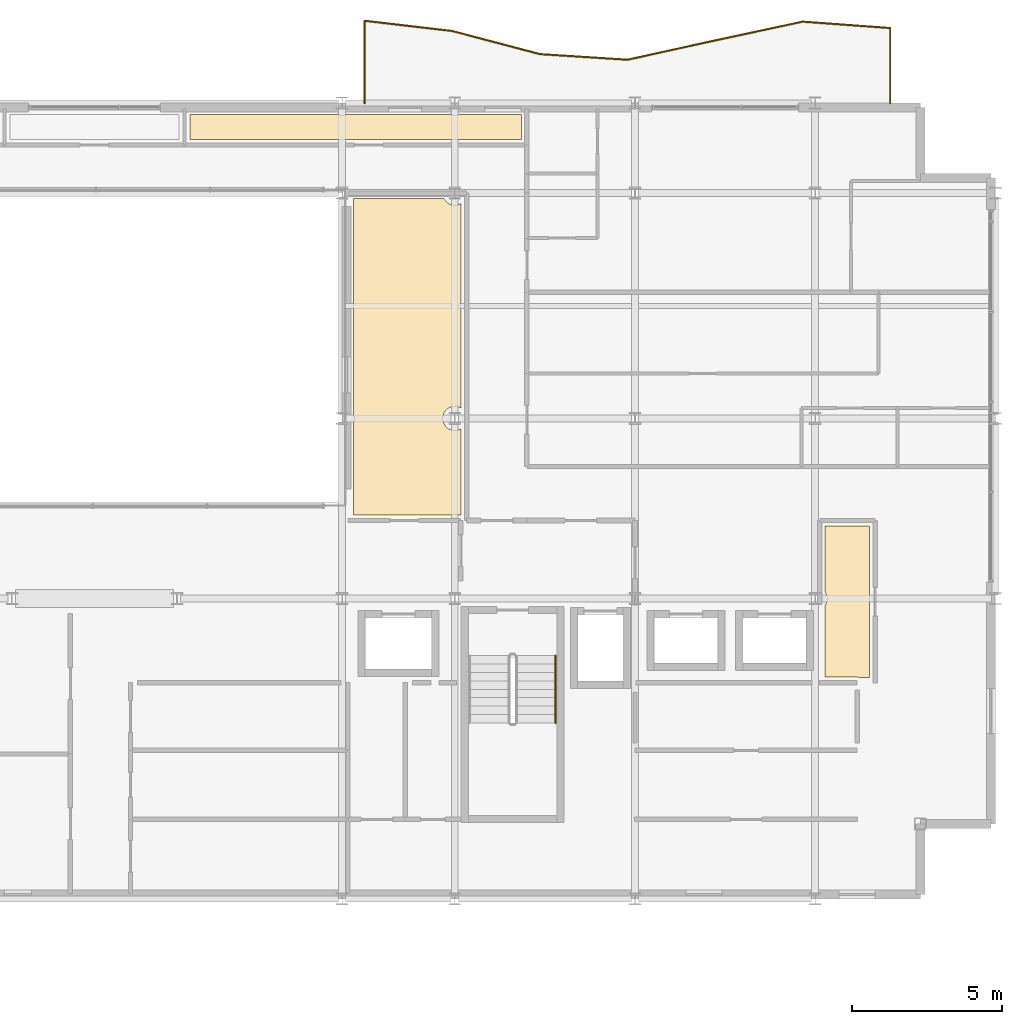
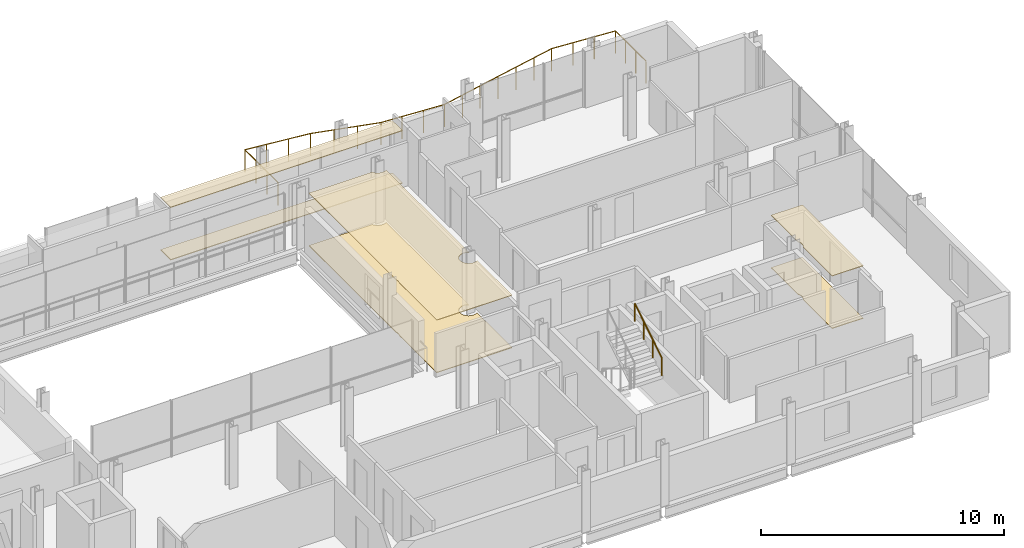
# One storey, part 36 of 36: 6 coverings, 2 railings.
"""IFC4 building model written with IfcOpenShell, lengths in metres."""

from ifc_helpers import new_model, si_unit, direction, frame, origin, origin_2d, place, context, subcontext, project, spatial, polyline, circle, outline, extrude, material, layer, layer_set, type_object, element, save


model = new_model("IFC4")

# Units and contexts
model_context = context("Model", 3, precision=1e-05, world=origin(), true_north=direction((0.0, 1.0)))
body_context = subcontext(model_context, "Body", "Model", "MODEL_VIEW")
ifc_project = project(units=[si_unit("LENGTHUNIT", "METRE"), si_unit("AREAUNIT", "SQUARE_METRE"), si_unit("VOLUMEUNIT", "CUBIC_METRE"), si_unit("PLANEANGLEUNIT", "RADIAN"), si_unit("MASSUNIT", "GRAM", prefix="KILO")], contexts=[model_context])

# Site, building, storey
site_placement = place(None, origin())
site = spatial("IfcSite", under=ifc_project, at=site_placement, CompositionType="ELEMENT")
building_placement = place(site_placement, origin())
building = spatial("IfcBuilding", under=site, at=building_placement, Name="Brevholm Reach", CompositionType="ELEMENT")
storey_placement = place(building_placement, frame((0.0, 0.0, 175.89990234375)))
storey = spatial("IfcBuildingStorey", under=building, at=storey_placement, Name="L53", CompositionType="ELEMENT", Elevation=175.89990234375)

# Coverings
ifc_material_1 = material(Name="Moisture-Resistant Skimmed Gypsum Plasterboard Ceiling", Category="gypsum")
ifc_layer_1 = layer(ifc_material_1, 0.030029296875)
ifc_layer_set_1 = layer_set([ifc_layer_1], Name="Moisture-Resistant Skimmed Gypsum Plasterboard Ceiling")
covering_type_1 = type_object("IfcCoveringType", Name="COV-CLG-GYP", PredefinedType="CEILING", material=ifc_layer_set_1)
covering_1_placement = place(storey_placement, frame((0.0, 0.0, 2.64013671875)))
element("IfcCovering", 1, at=covering_1_placement, inside=storey, type_object=covering_type_1, Name="L53 Suspended Ceiling L53-25", PredefinedType="CEILING", context=body_context, shape_type="SweptSolid", body=[
    extrude(outline(polyline([(54.330078125, 9.7626953125), (54.33056640625, 9.764892578125), (54.33251953125, 9.777587890625), (54.33251953125, 9.77783203125), (54.352783203125, 9.811279296875), (54.36962890625, 9.846923828125), (54.3828125, 9.8837890625), (54.392333984375, 9.922119140625), (54.398193359375, 9.960693359375), (54.39990234375, 10.0), (54.398193359375, 10.039306640625), (54.392333984375, 10.077880859375), (54.3828125, 10.1162109375), (54.36962890625, 10.153076171875), (54.352783203125, 10.188720703125), (54.333984375, 10.219970703125), (54.333984375, 12.419921875), (55.81591796875, 12.419921875), (55.81591796875, 7.3798828125), (55.437255859375, 7.3798828125), (55.43505859375, 7.380615234375), (55.41748046875, 7.383056640625), (55.39990234375, 7.384033203125), (54.330078125, 7.384033203125), (54.330078125, 9.7626953125)])), origin(), (0.0, 0.0, 1.0), 0.030029296875),
])
covering_2_placement = place(storey_placement, frame((0.0, 0.0, 2.64013671875)))
element("IfcCovering", 2, at=covering_2_placement, inside=storey, type_object=covering_type_1, Name="L53 Suspended Ceiling L53-53", PredefinedType="CEILING", context=body_context, shape_type="SweptSolid", body=[
    extrude(outline(polyline([(38.6298828125, 15.876220703125), (38.6328125, 15.8837890625), (38.642333984375, 15.922119140625), (38.648193359375, 15.960693359375), (38.64990234375, 16.0), (38.648193359375, 16.039306640625), (38.642333984375, 16.077880859375), (38.6328125, 16.1162109375), (38.6298828125, 16.123779296875), (38.6298828125, 23.320068359375), (41.643310546875, 23.320068359375), (41.647216796875, 23.311279296875), (41.66748046875, 23.27783203125), (41.69091796875, 23.24609375), (41.71728515625, 23.21728515625), (41.74609375, 23.19091796875), (41.77783203125, 23.16748046875), (41.811279296875, 23.147216796875), (41.846923828125, 23.13037109375), (41.8837890625, 23.1171875), (41.922119140625, 23.107666015625), (41.960693359375, 23.101806640625), (42.0, 23.10009765625), (42.039306640625, 23.101806640625), (42.077880859375, 23.107666015625), (42.1162109375, 23.1171875), (42.153076171875, 23.13037109375), (42.188720703125, 23.147216796875), (42.216064453125, 23.163818359375), (42.216064453125, 16.336181640625), (42.188720703125, 16.352783203125), (42.153076171875, 16.36962890625), (42.1162109375, 16.3828125), (42.077880859375, 16.392333984375), (42.039306640625, 16.398193359375), (42.0, 16.39990234375), (41.960693359375, 16.398193359375), (41.922119140625, 16.392333984375), (41.8837890625, 16.3828125), (41.846923828125, 16.36962890625), (41.811279296875, 16.352783203125), (41.77783203125, 16.33251953125), (41.74609375, 16.30908203125), (41.71728515625, 16.28271484375), (41.69091796875, 16.25390625), (41.66748046875, 16.22216796875), (41.647216796875, 16.188720703125), (41.63037109375, 16.153076171875), (41.6171875, 16.1162109375), (41.607666015625, 16.077880859375), (41.601806640625, 16.039306640625), (41.60009765625, 16.0), (41.601806640625, 15.960693359375), (41.607666015625, 15.922119140625), (41.6171875, 15.8837890625), (41.63037109375, 15.846923828125), (41.647216796875, 15.811279296875), (41.66748046875, 15.77783203125), (41.69091796875, 15.74609375), (41.71728515625, 15.71728515625), (41.74609375, 15.69091796875), (41.77783203125, 15.66748046875), (41.811279296875, 15.647216796875), (41.846923828125, 15.63037109375), (41.8837890625, 15.6171875), (41.922119140625, 15.607666015625), (41.960693359375, 15.601806640625), (42.0, 15.60009765625), (42.039306640625, 15.601806640625), (42.077880859375, 15.607666015625), (42.1162109375, 15.6171875), (42.153076171875, 15.63037109375), (42.188720703125, 15.647216796875), (42.216064453125, 15.663818359375), (42.216064453125, 12.783935546875), (38.6298828125, 12.783935546875), (38.6298828125, 15.876220703125)])), origin(), (0.0, 0.0, 1.0), 0.030029296875),
])
covering_3_placement = place(storey_placement, frame((0.0, 0.0, 2.64013671875)))
element("IfcCovering", 3, at=covering_3_placement, inside=storey, type_object=covering_type_1, Name="L53 Suspended Ceiling L53-57", PredefinedType="CEILING", context=body_context, shape_type="SweptSolid", body=[
    extrude(outline(polyline([(38.126220703125, 26.1201171875), (38.1337890625, 26.1171875), (38.172119140625, 26.107666015625), (38.210693359375, 26.101806640625), (38.25, 26.10009765625), (38.289306640625, 26.101806640625), (38.327880859375, 26.107666015625), (38.3662109375, 26.1171875), (38.373779296875, 26.1201171875), (41.876220703125, 26.1201171875), (41.8837890625, 26.1171875), (41.922119140625, 26.107666015625), (41.960693359375, 26.101806640625), (42.0, 26.10009765625), (42.039306640625, 26.101806640625), (42.077880859375, 26.107666015625), (42.1162109375, 26.1171875), (42.123779296875, 26.1201171875), (44.216064453125, 26.1201171875), (44.216064453125, 25.283935546875), (33.18408203125, 25.283935546875), (33.18408203125, 26.1201171875), (38.126220703125, 26.1201171875)])), origin(), (0.0, 0.0, 1.0), 0.030029296875),
])
ifc_material_2 = material(Name="Honed Portland-Aggregate Resin Terrazzo Flooring", Category="concrete")
ifc_layer_2 = layer(ifc_material_2, 0.031982421875)
ifc_layer_set_2 = layer_set([ifc_layer_2], Name="Honed Portland-Aggregate Resin Terrazzo Flooring")
covering_type_2 = type_object("IfcCoveringType", Name="COV-FLR-TRZ", PredefinedType="FLOORING", material=ifc_layer_set_2)
covering_4_placement = place(storey_placement, origin())
element("IfcCovering", 4, at=covering_4_placement, inside=storey, type_object=covering_type_2, Name="L53 Floor Finish L53-25", PredefinedType="FLOORING", context=body_context, shape_type="SweptSolid", body=[
    extrude(outline(polyline([(54.330078125, 9.7626953125), (54.33056640625, 9.764892578125), (54.33251953125, 9.777587890625), (54.33251953125, 9.77783203125), (54.352783203125, 9.811279296875), (54.36962890625, 9.846923828125), (54.3828125, 9.8837890625), (54.392333984375, 9.922119140625), (54.398193359375, 9.960693359375), (54.39990234375, 10.0), (54.398193359375, 10.039306640625), (54.392333984375, 10.077880859375), (54.3828125, 10.1162109375), (54.36962890625, 10.153076171875), (54.352783203125, 10.188720703125), (54.333984375, 10.219970703125), (54.333984375, 12.419921875), (55.81591796875, 12.419921875), (55.81591796875, 7.3798828125), (55.437255859375, 7.3798828125), (55.43505859375, 7.380615234375), (55.41748046875, 7.383056640625), (55.39990234375, 7.384033203125), (54.330078125, 7.384033203125), (54.330078125, 9.7626953125)])), origin(), (0.0, 0.0, 1.0), 0.031982421875),
])
covering_5_placement = place(storey_placement, origin())
element("IfcCovering", 5, at=covering_5_placement, inside=storey, type_object=covering_type_2, Name="L53 Floor Finish L53-53", PredefinedType="FLOORING", context=body_context, shape_type="SweptSolid", body=[
    extrude(outline(polyline([(38.6298828125, 15.876220703125), (38.6328125, 15.8837890625), (38.642333984375, 15.922119140625), (38.648193359375, 15.960693359375), (38.64990234375, 16.0), (38.648193359375, 16.039306640625), (38.642333984375, 16.077880859375), (38.6328125, 16.1162109375), (38.6298828125, 16.123779296875), (38.6298828125, 23.320068359375), (41.643310546875, 23.320068359375), (41.647216796875, 23.311279296875), (41.66748046875, 23.27783203125), (41.69091796875, 23.24609375), (41.71728515625, 23.21728515625), (41.74609375, 23.19091796875), (41.77783203125, 23.16748046875), (41.811279296875, 23.147216796875), (41.846923828125, 23.13037109375), (41.8837890625, 23.1171875), (41.922119140625, 23.107666015625), (41.960693359375, 23.101806640625), (42.0, 23.10009765625), (42.039306640625, 23.101806640625), (42.077880859375, 23.107666015625), (42.1162109375, 23.1171875), (42.153076171875, 23.13037109375), (42.188720703125, 23.147216796875), (42.216064453125, 23.163818359375), (42.216064453125, 16.336181640625), (42.188720703125, 16.352783203125), (42.153076171875, 16.36962890625), (42.1162109375, 16.3828125), (42.077880859375, 16.392333984375), (42.039306640625, 16.398193359375), (42.0, 16.39990234375), (41.960693359375, 16.398193359375), (41.922119140625, 16.392333984375), (41.8837890625, 16.3828125), (41.846923828125, 16.36962890625), (41.811279296875, 16.352783203125), (41.77783203125, 16.33251953125), (41.74609375, 16.30908203125), (41.71728515625, 16.28271484375), (41.69091796875, 16.25390625), (41.66748046875, 16.22216796875), (41.647216796875, 16.188720703125), (41.63037109375, 16.153076171875), (41.6171875, 16.1162109375), (41.607666015625, 16.077880859375), (41.601806640625, 16.039306640625), (41.60009765625, 16.0), (41.601806640625, 15.960693359375), (41.607666015625, 15.922119140625), (41.6171875, 15.8837890625), (41.63037109375, 15.846923828125), (41.647216796875, 15.811279296875), (41.66748046875, 15.77783203125), (41.69091796875, 15.74609375), (41.71728515625, 15.71728515625), (41.74609375, 15.69091796875), (41.77783203125, 15.66748046875), (41.811279296875, 15.647216796875), (41.846923828125, 15.63037109375), (41.8837890625, 15.6171875), (41.922119140625, 15.607666015625), (41.960693359375, 15.601806640625), (42.0, 15.60009765625), (42.039306640625, 15.601806640625), (42.077880859375, 15.607666015625), (42.1162109375, 15.6171875), (42.153076171875, 15.63037109375), (42.188720703125, 15.647216796875), (42.216064453125, 15.663818359375), (42.216064453125, 12.783935546875), (38.6298828125, 12.783935546875), (38.6298828125, 15.876220703125)])), origin(), (0.0, 0.0, 1.0), 0.031982421875),
])
covering_6_placement = place(storey_placement, origin())
element("IfcCovering", 6, at=covering_6_placement, inside=storey, type_object=covering_type_2, Name="L53 Floor Finish L53-57", PredefinedType="FLOORING", context=body_context, shape_type="SweptSolid", body=[
    extrude(outline(polyline([(38.126220703125, 26.1201171875), (38.1337890625, 26.1171875), (38.172119140625, 26.107666015625), (38.210693359375, 26.101806640625), (38.25, 26.10009765625), (38.289306640625, 26.101806640625), (38.327880859375, 26.107666015625), (38.3662109375, 26.1171875), (38.373779296875, 26.1201171875), (41.876220703125, 26.1201171875), (41.8837890625, 26.1171875), (41.922119140625, 26.107666015625), (41.960693359375, 26.101806640625), (42.0, 26.10009765625), (42.039306640625, 26.101806640625), (42.077880859375, 26.107666015625), (42.1162109375, 26.1171875), (42.123779296875, 26.1201171875), (44.216064453125, 26.1201171875), (44.216064453125, 25.283935546875), (33.18408203125, 25.283935546875), (33.18408203125, 26.1201171875), (38.126220703125, 26.1201171875)])), origin(), (0.0, 0.0, 1.0), 0.031982421875),
])

# Railings
ifc_material_3 = material(Name="Brushed Stainless Steel EN 1.4401 and Laminated Glass", Category="steel")
railing_type_1 = type_object("IfcRailingType", Name="RAL-BALC-1150", PredefinedType="BALUSTRADE", material=ifc_material_3)
railing_1_placement = place(storey_placement, frame((56.5, 26.5, 0.0)))
element("IfcRailing", 7, at=railing_1_placement, inside=storey, type_object=railing_type_1, Name="L53 Guard Balustrade RAL-L53-BAL-NE", PredefinedType="BALUSTRADE", context=body_context, shape_type="SweptSolid", body=[
    extrude(circle(Radius=0.02392578125, at=origin_2d()), frame((0.0, 0.0, 1.1259765625), z_axis=(0.0, 1.0, 0.0), x_axis=(-1.0, 0.0, 0.0)), (0.0, 0.0, 1.0), 2.499755859375),
    extrude(circle(Radius=0.02392578125, at=origin_2d()), frame((0.0, 2.499755859375, 1.1259765625), z_axis=(-0.997334760815, 0.072961461535, 0.0), x_axis=(-0.072961461535, -0.997334760815, 0.0)), (0.0, 0.0, 1.0), 2.924560546875),
    extrude(circle(Radius=0.02392578125, at=origin_2d()), frame((-2.916748046875, 2.713134765625, 1.1259765625), z_axis=(-0.977716094956, -0.209931507079, 0.0), x_axis=(0.209931507079, -0.977716094956, 0.0)), (0.0, 0.0, 1.0), 2.98291015625),
    extrude(circle(Radius=0.02392578125, at=origin_2d()), frame((-5.833251953125, 2.0869140625, 1.1259765625), z_axis=(-0.976615982801, -0.214991214093, 0.0), x_axis=(0.214991214093, -0.976615982801, 0.0)), (0.0, 0.0, 1.0), 2.986572265625),
    extrude(circle(Radius=0.02392578125, at=origin_2d()), frame((-8.75, 1.44482421875, 1.1259765625), z_axis=(-0.997945514781, 0.06406831923, 0.0), x_axis=(-0.06406831923, -0.997945514781, 0.0)), (0.0, 0.0, 1.0), 2.9228515625),
    extrude(circle(Radius=0.02392578125, at=origin_2d()), frame((-11.666748046875, 1.632080078125, 1.1259765625), z_axis=(-0.966868735292, 0.255274065889, 0.0), x_axis=(-0.255274065889, -0.966868735292, 0.0)), (0.0, 0.0, 1.0), 3.016357421875),
    extrude(circle(Radius=0.02392578125, at=origin_2d()), frame((-14.583251953125, 2.402099609375, 1.1259765625), z_axis=(-0.99329006652, 0.11564965954, 0.0), x_axis=(-0.11564965954, -0.99329006652, 0.0)), (0.0, 0.0, 1.0), 2.9365234375),
    extrude(circle(Radius=0.02392578125, at=origin_2d()), frame((-17.5, 2.74169921875, 1.1259765625), z_axis=(0.0, -1.0, 0.0), x_axis=(1.0, 0.0, 0.0)), (0.0, 0.0, 1.0), 2.74169921875),
    extrude(circle(Radius=0.02099609375, at=origin_2d()), origin(), (0.0, 0.0, 1.0), 1.101806640625),
    extrude(circle(Radius=0.02099609375, at=origin_2d()), frame((0.0, 0.833251953125, 0.0)), (0.0, 0.0, 1.0), 1.101806640625),
    extrude(circle(Radius=0.02099609375, at=origin_2d()), frame((0.0, 1.66650390625, 0.0)), (0.0, 0.0, 1.0), 1.101806640625),
    extrude(circle(Radius=0.02099609375, at=origin_2d()), frame((0.0, 2.499755859375, 0.0)), (0.0, 0.0, 1.0), 1.101806640625),
    extrude(circle(Radius=0.02099609375, at=origin_2d()), frame((-0.97216796875, 2.57080078125, 0.0)), (0.0, 0.0, 1.0), 1.101806640625),
    extrude(circle(Radius=0.02099609375, at=origin_2d()), frame((-1.944580078125, 2.64208984375, 0.0)), (0.0, 0.0, 1.0), 1.101806640625),
    extrude(circle(Radius=0.02099609375, at=origin_2d()), frame((-2.916748046875, 2.713134765625, 0.0)), (0.0, 0.0, 1.0), 1.101806640625),
    extrude(circle(Radius=0.02099609375, at=origin_2d()), frame((-3.888916015625, 2.50439453125, 0.0)), (0.0, 0.0, 1.0), 1.101806640625),
    extrude(circle(Radius=0.02099609375, at=origin_2d()), frame((-4.861083984375, 2.295654296875, 0.0)), (0.0, 0.0, 1.0), 1.101806640625),
    extrude(circle(Radius=0.02099609375, at=origin_2d()), frame((-5.833251953125, 2.0869140625, 0.0)), (0.0, 0.0, 1.0), 1.101806640625),
    extrude(circle(Radius=0.02099609375, at=origin_2d()), frame((-6.805419921875, 1.872802734375, 0.0)), (0.0, 0.0, 1.0), 1.101806640625),
    extrude(circle(Radius=0.02099609375, at=origin_2d()), frame((-7.77783203125, 1.658935546875, 0.0)), (0.0, 0.0, 1.0), 1.101806640625),
    extrude(circle(Radius=0.02099609375, at=origin_2d()), frame((-8.75, 1.44482421875, 0.0)), (0.0, 0.0, 1.0), 1.101806640625),
    extrude(circle(Radius=0.02099609375, at=origin_2d()), frame((-9.72216796875, 1.50732421875, 0.0)), (0.0, 0.0, 1.0), 1.101806640625),
    extrude(circle(Radius=0.02099609375, at=origin_2d()), frame((-10.694580078125, 1.569580078125, 0.0)), (0.0, 0.0, 1.0), 1.101806640625),
    extrude(circle(Radius=0.02099609375, at=origin_2d()), frame((-11.666748046875, 1.632080078125, 0.0)), (0.0, 0.0, 1.0), 1.101806640625),
    extrude(circle(Radius=0.02099609375, at=origin_2d()), frame((-12.638916015625, 1.888671875, 0.0)), (0.0, 0.0, 1.0), 1.101806640625),
    extrude(circle(Radius=0.02099609375, at=origin_2d()), frame((-13.611083984375, 2.1455078125, 0.0)), (0.0, 0.0, 1.0), 1.101806640625),
    extrude(circle(Radius=0.02099609375, at=origin_2d()), frame((-14.583251953125, 2.402099609375, 0.0)), (0.0, 0.0, 1.0), 1.101806640625),
    extrude(circle(Radius=0.02099609375, at=origin_2d()), frame((-15.555419921875, 2.515380859375, 0.0)), (0.0, 0.0, 1.0), 1.101806640625),
    extrude(circle(Radius=0.02099609375, at=origin_2d()), frame((-16.52783203125, 2.62841796875, 0.0)), (0.0, 0.0, 1.0), 1.101806640625),
    extrude(circle(Radius=0.02099609375, at=origin_2d()), frame((-17.5, 2.74169921875, 0.0)), (0.0, 0.0, 1.0), 1.101806640625),
    extrude(circle(Radius=0.02099609375, at=origin_2d()), frame((-17.5, 1.827880859375, 0.0)), (0.0, 0.0, 1.0), 1.101806640625),
    extrude(circle(Radius=0.02099609375, at=origin_2d()), frame((-17.5, 0.913818359375, 0.0)), (0.0, 0.0, 1.0), 1.101806640625),
    extrude(circle(Radius=0.02099609375, at=origin_2d()), frame((-17.5, 0.0, 0.0)), (0.0, 0.0, 1.0), 1.101806640625),
])
ifc_material_4 = material(Name="Brushed Stainless Steel EN 1.4401 Continuous Handrail", Category="steel")
railing_type_2 = type_object("IfcRailingType", Name="RAL-HND-950", PredefinedType="HANDRAIL", material=ifc_material_4)
railing_2_placement = place(storey_placement, frame((45.35009765625, 5.860107421875, 1.722412109375)))
element("IfcRailing", 8, at=railing_2_placement, inside=storey, type_object=railing_type_2, Name="L53 ST-2 stair handrail 2", PredefinedType="HANDRAIL", context=body_context, shape_type="SweptSolid", body=[
    extrude(circle(Radius=0.02392578125, at=origin_2d()), frame((0.0, 0.0, 0.8857421875), z_axis=(0.0, 0.85178898068, 0.523885037382), x_axis=(-1.0, 0.0, 0.0)), (0.0, 0.0, 1.0), 2.629638671875),
    extrude(circle(Radius=0.02099609375, at=origin_2d()), origin(), (0.0, 0.0, 1.0), 0.86181640625),
    extrude(circle(Radius=0.02099609375, at=origin_2d()), frame((0.0, 0.74658203125, 0.459228515625)), (0.0, 0.0, 1.0), 0.86181640625),
    extrude(circle(Radius=0.02099609375, at=origin_2d()), frame((0.0, 1.493408203125, 0.91845703125)), (0.0, 0.0, 1.0), 0.86181640625),
    extrude(circle(Radius=0.02099609375, at=origin_2d()), frame((0.0, 2.239990234375, 1.377685546875)), (0.0, 0.0, 1.0), 0.86181640625),
])

save(model, "model.ifc")
